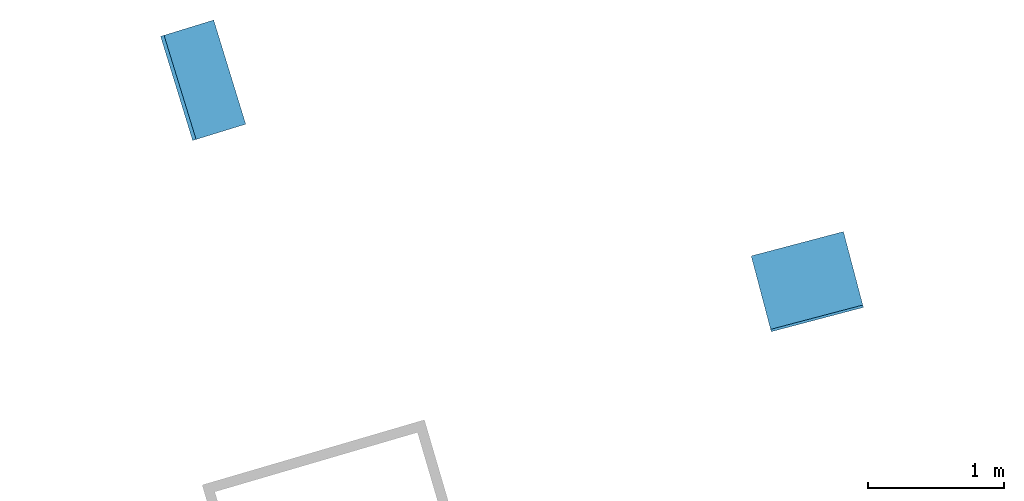
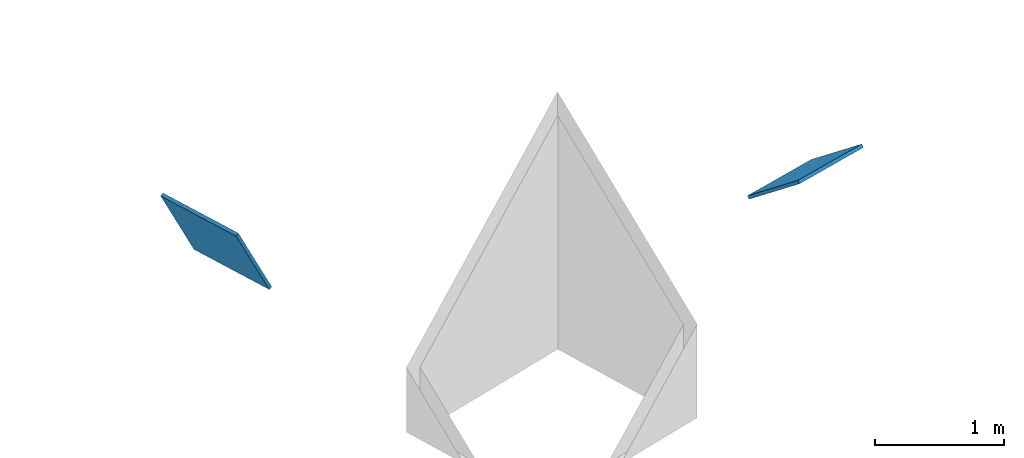
# One storey, part 19 of 24: 2 discrete accessories.
"""IFC4 building model written with IfcOpenShell, lengths in metres."""

from ifc_helpers import new_model, si_unit, direction, frame, origin, origin_2d, place, context, subcontext, project, spatial, rectangle, extrude, material, material_profile, profile_set, type_object, element, save


model = new_model("IFC4")

# Units and contexts
model_context = context("Model", 3, precision=1e-05, world=origin(), true_north=direction((0.0, 1.0)))
body_context = subcontext(model_context, "Body", "Model", "MODEL_VIEW")
ifc_project = project(units=[si_unit("LENGTHUNIT", "METRE"), si_unit("AREAUNIT", "SQUARE_METRE"), si_unit("VOLUMEUNIT", "CUBIC_METRE"), si_unit("PLANEANGLEUNIT", "RADIAN"), si_unit("MASSUNIT", "GRAM", prefix="KILO")], contexts=[model_context])

# Site, building, storey
site_placement = place(None, origin())
site = spatial("IfcSite", under=ifc_project, at=site_placement, CompositionType="ELEMENT")
building_placement = place(site_placement, origin())
building = spatial("IfcBuilding", under=site, at=building_placement, Name="Alderwake Tower", CompositionType="ELEMENT")
storey_placement = place(building_placement, frame((0.0, 0.0, 232.39990234375)))
storey = spatial("IfcBuildingStorey", under=building, at=storey_placement, Name="L58", CompositionType="ELEMENT", Elevation=232.39990234375)

# Discrete accessories
ifc_material_1 = material(Name="Steel ASTM A572 Grade 50", Category="steel")
ifc_material_profile_1 = material_profile(ifc_material_1, rectangle(XDim=0.699951171875, YDim=0.699951171875, at=origin_2d()), Name="BOX 700X700X45 cap")
ifc_profile_set_1 = profile_set([ifc_material_profile_1], Name="Steel ASTM A572 Grade 50")
discrete_accessory_type_1 = type_object("IfcDiscreteAccessoryType", Name="End cap plate BOX 700X700X45", PredefinedType="USERDEFINED", material=ifc_profile_set_1)
discrete_accessory_1_placement = place(storey_placement, frame((54.982421875, 101.525634765625, 0.0), z_axis=(-0.154369542892, 0.584979320433, 0.796221852811), x_axis=(-0.966900358349, -0.255154261231, 0.0)))
element("IfcDiscreteAccessory", 1, at=discrete_accessory_1_placement, inside=storey, type_object=discrete_accessory_type_1, Name="End cap BRF4.2.10A N", ObjectType="END CAP", PredefinedType="USERDEFINED", context=body_context, shape_type="SweptSolid", body=[
    extrude(rectangle(XDim=0.699951171875, YDim=0.699951171875, at=origin_2d()), origin(), (0.0, 0.0, 1.0), 0.030029296875),
])
ifc_material_2 = material(Name="Steel ASTM A572 Grade 50", Category="steel")
ifc_material_profile_2 = material_profile(ifc_material_2, rectangle(XDim=0.800048828125, YDim=0.800048828125, at=origin_2d()), Name="BOX 800X800X50 cap")
ifc_profile_set_2 = profile_set([ifc_material_profile_2], Name="Steel ASTM A572 Grade 50")
discrete_accessory_type_2 = type_object("IfcDiscreteAccessoryType", Name="End cap plate BOX 800X800X50", PredefinedType="USERDEFINED", material=ifc_profile_set_2)
discrete_accessory_2_placement = place(storey_placement, frame((50.533203125, 103.0087890625, 0.0), z_axis=(0.840213747238, 0.258527306843, 0.476659721991), x_axis=(-0.294085848838, 0.955779008722, 0.0)))
element("IfcDiscreteAccessory", 2, at=discrete_accessory_2_placement, inside=storey, type_object=discrete_accessory_type_2, Name="End cap BRN4.2.0A N", ObjectType="END CAP", PredefinedType="USERDEFINED", context=body_context, shape_type="SweptSolid", body=[
    extrude(rectangle(XDim=0.800048828125, YDim=0.800048828125, at=origin_2d()), origin(), (0.0, 0.0, 1.0), 0.0302734375),
])

save(model, "model.ifc")
